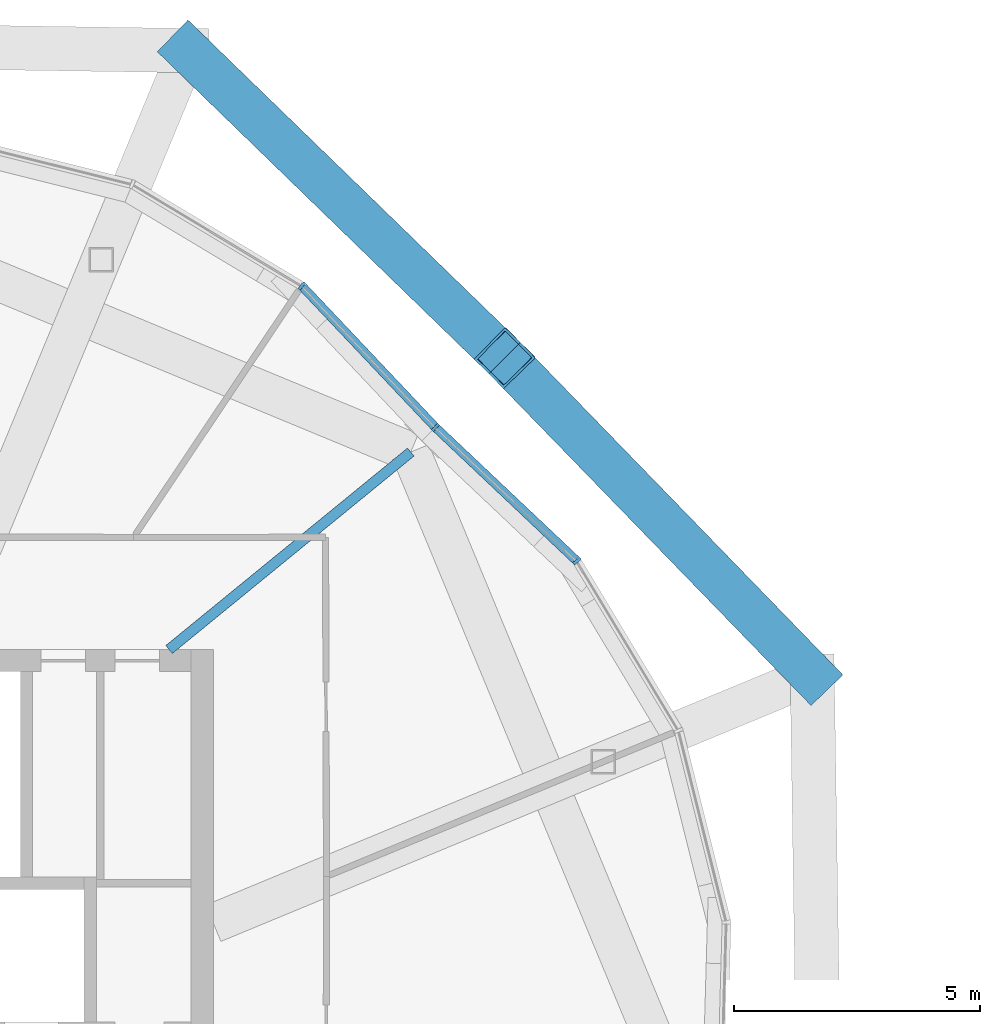
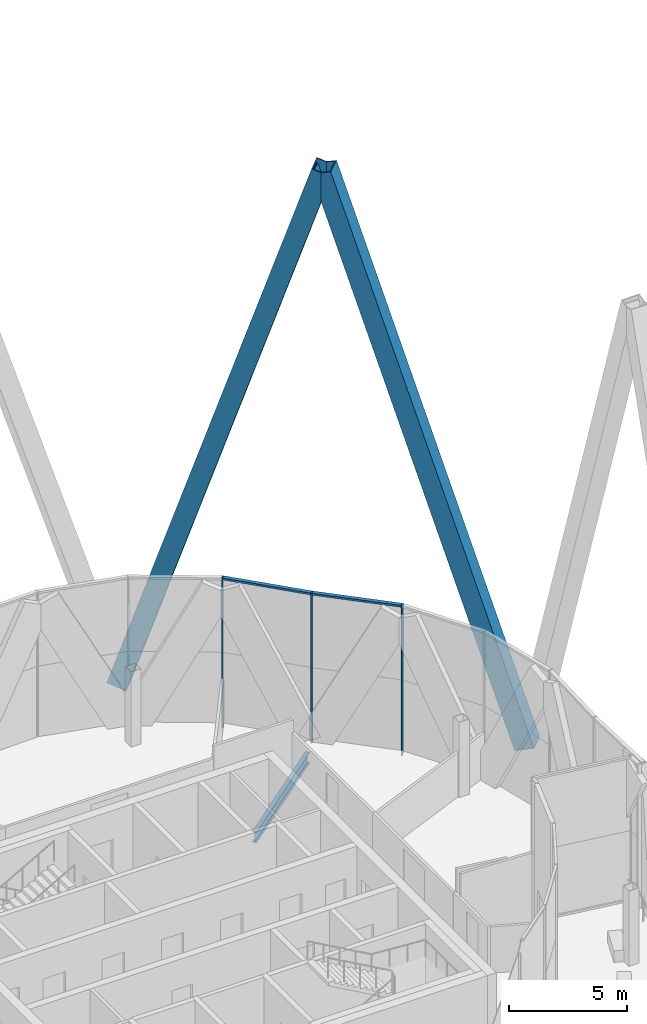
# One storey, part 21 of 53: 7 members, 1 beam, 2 elements without a shape of their own.
"""IFC4 building model written with IfcOpenShell, lengths in metres."""

from ifc_helpers import new_model, si_unit, direction, frame, origin, origin_2d, place, context, subcontext, project, spatial, rectangle, hollow_rectangle, i_section, extrude, material, material_profile, profile_set, type_object, element, aggregate, save


model = new_model("IFC4")

# Units and contexts
model_context = context("Model", 3, precision=1e-05, world=origin(), true_north=direction((0.0, 1.0)))
body_context = subcontext(model_context, "Body", "Model", "MODEL_VIEW")
ifc_project = project(units=[si_unit("LENGTHUNIT", "METRE"), si_unit("AREAUNIT", "SQUARE_METRE"), si_unit("VOLUMEUNIT", "CUBIC_METRE"), si_unit("PLANEANGLEUNIT", "RADIAN"), si_unit("MASSUNIT", "GRAM", prefix="KILO")], contexts=[model_context])

# Site, building, storey
site_placement = place(None, origin())
site = spatial("IfcSite", under=ifc_project, at=site_placement, CompositionType="ELEMENT")
building_placement = place(site_placement, origin())
building = spatial("IfcBuilding", under=site, at=building_placement, Name="Ogive Gate Towers", CompositionType="ELEMENT")
storey_placement = place(building_placement, frame((0.0, 0.0, 240.60009765625)))
storey = spatial("IfcBuildingStorey", under=building, at=storey_placement, Name="L57", CompositionType="ELEMENT", Elevation=240.60009765625)

# Members
ifc_material_1 = material(Name="Steel SM460", Category="steel")
ifc_material_profile_1 = material_profile(ifc_material_1, hollow_rectangle(XDim=0.89990234375, YDim=0.89990234375, WallThickness=0.050048828125, at=origin_2d()), Name="BX 900x900x50")
ifc_profile_set_1 = profile_set([ifc_material_profile_1], Name="Steel SM460")
member_type_1 = type_object("IfcMemberType", Name="Diagrid diagonal BX 900x900x50", PredefinedType="BRACE", material=ifc_profile_set_1)
for number, where, z_axis, x_axis, name in (
    (1, (-14.32568359375, 8.977783203125, 0.0), (-0.211259451685, 0.217751746913, 0.952866003586), (-0.717725362087, -0.696326291775, 0.0), "T1/L57/SDG002"),
    (2, (-27.022216796875, 21.67431640625, 0.0), (0.217751746913, -0.211259451685, 0.952866003586), (0.696326291775, 0.717725362087, 0.0), "T1/L57/SDG003"),
):
    element("IfcMember", number, at=place(storey_placement, frame(where, z_axis=z_axis, x_axis=x_axis)), inside=storey, type_object=member_type_1, Name=name, PredefinedType="BRACE", context=body_context, shape_type="SweptSolid", body=[
        extrude(hollow_rectangle(XDim=0.89990234375, YDim=0.89990234375, WallThickness=0.050048828125, at=origin_2d()), origin(), (0.0, 0.0, 1.0), 29.594970703125),
    ])

# Beam
ifc_material_2 = material(Name="Steel SM355", Category="steel")
ifc_material_profile_2 = material_profile(ifc_material_2, i_section(OverallWidth=0.2099609375, OverallDepth=0.550048828125, WebThickness=0.010986328125, FlangeThickness=0.01708984375, FilletRadius=0.02392578125, at=origin_2d()), Name="IPE 550")
ifc_profile_set_2 = profile_set([ifc_material_profile_2], Name="Steel SM355")
beam_type = type_object("IfcBeamType", Name="Radial floor beam IPE 550", PredefinedType="BEAM", material=ifc_profile_set_2)
beam_placement = place(storey_placement, frame((-27.39990234375, 9.5, -0.5751953125), z_axis=(0.774474926523, 0.632604606517, 0.0), x_axis=(-0.632604606517, 0.774474926523, 0.0)))
element("IfcBeam", 3, at=beam_placement, inside=storey, type_object=beam_type, Name="T1/L57/SBM009", PredefinedType="BEAM", context=body_context, shape_type="SweptSolid", body=[
    extrude(i_section(OverallWidth=0.2099609375, OverallDepth=0.550048828125, WebThickness=0.010986328125, FlangeThickness=0.01708984375, FilletRadius=0.02392578125, at=origin_2d()), origin(), (0.0, 0.0, 1.0), 6.343017578125),
])

# Curtain wall, members
ifc_material_3 = material(Name="Pale metal aluminium", Category="aluminium")
curtain_wall_type = type_object("IfcCurtainWallType", Name="Tower unitised wall, high zone", PredefinedType="NOTDEFINED", material=ifc_material_3)
curtain_wall_1_placement = place(storey_placement, origin())
curtain_wall_1 = element("IfcCurtainWall", 4, at=curtain_wall_1_placement, inside=storey, type_object=curtain_wall_type, Name="CW2 T1 ECW03", PredefinedType="NOTDEFINED")
ifc_material_profile_3 = material_profile(ifc_material_3, rectangle(XDim=0.179931640625, YDim=0.06005859375, at=origin_2d()), Name="60 x 180 aluminium box")
ifc_profile_set_3 = profile_set([ifc_material_profile_3], Name="Pale metal aluminium")
member_type_2 = type_object("IfcMemberType", Name="Tower unitised wall, high zone mullion 60 x 180", PredefinedType="MULLION", material=ifc_profile_set_3)
member_1_placement = place(storey_placement, frame((-21.9853515625, 14.01513671875, -0.300048828125), z_axis=(0.0, 0.0, 1.0), x_axis=(-0.686795789687, -0.726850427027, 0.0)))
member_1 = element("IfcMember", 5, at=member_1_placement, type_object=member_type_2, Name="CW2 mullion", PredefinedType="MULLION", context=body_context, shape_type="SweptSolid", body=[
    extrude(rectangle(XDim=0.179931640625, YDim=0.06005859375, at=origin_2d()), origin(), (0.0, 0.0, 1.0), 7.800048828125),
])
member_2_placement = place(storey_placement, frame((-19.109619140625, 11.297607421875, -0.300048828125), z_axis=(0.0, 0.0, 1.0), x_axis=(-0.779283280466, -0.626671819046, 0.0)))
member_2 = element("IfcMember", 6, at=member_2_placement, type_object=member_type_2, Name="CW2 mullion", PredefinedType="MULLION", context=body_context, shape_type="SweptSolid", body=[
    extrude(rectangle(XDim=0.179931640625, YDim=0.06005859375, at=origin_2d()), origin(), (0.0, 0.0, 1.0), 7.800048828125),
])

# Curtain wall, member
curtain_wall_2_placement = place(storey_placement, origin())
curtain_wall_2 = element("IfcCurtainWall", 7, at=curtain_wall_2_placement, inside=storey, type_object=curtain_wall_type, Name="CW2 T1 ECW04", PredefinedType="NOTDEFINED")
member_3_placement = place(storey_placement, frame((-24.702392578125, 16.890380859375, -0.300048828125), z_axis=(0.0, 0.0, 1.0), x_axis=(-0.626671819046, -0.779283280466, 0.0)))
member_3 = element("IfcMember", 8, at=member_3_placement, type_object=member_type_2, Name="CW2 mullion", PredefinedType="MULLION", context=body_context, shape_type="SweptSolid", body=[
    extrude(rectangle(XDim=0.179931640625, YDim=0.06005859375, at=origin_2d()), origin(), (0.0, 0.0, 1.0), 7.800048828125),
])

# Member
ifc_material_profile_4 = material_profile(ifc_material_3, rectangle(XDim=0.179931640625, YDim=0.10009765625, at=origin_2d()), Name="100 x 180 aluminium box")
ifc_profile_set_4 = profile_set([ifc_material_profile_4], Name="Pale metal aluminium")
member_type_3 = type_object("IfcMemberType", Name="Tower unitised wall, high zone transom 100 x 180", PredefinedType="USERDEFINED", material=ifc_profile_set_4)
member_4_placement = place(storey_placement, frame((-21.96337890625, 13.994384765625, 7.449951171875), z_axis=(0.726848007603, -0.686798350204, 0.0), x_axis=(0.686798350204, 0.726848007603, 0.0)))
member_4 = element("IfcMember", 9, at=member_4_placement, type_object=member_type_3, Name="CW2 transom", ObjectType="TRANSOM", PredefinedType="USERDEFINED", context=body_context, shape_type="SweptSolid", body=[
    extrude(rectangle(XDim=0.179931640625, YDim=0.10009765625, at=origin_2d()), origin(), (0.0, 0.0, 1.0), 3.895263671875),
])

aggregate(curtain_wall_1, [member_1, member_2, member_4])

member_5_placement = place(storey_placement, frame((-24.680908203125, 16.867919921875, 7.449951171875), z_axis=(0.686798350204, -0.726848007603, 0.0), x_axis=(0.726848007603, 0.686798350204, 0.0)))
member_5 = element("IfcMember", 10, at=member_5_placement, type_object=member_type_3, Name="CW2 transom", ObjectType="TRANSOM", PredefinedType="USERDEFINED", context=body_context, shape_type="SweptSolid", body=[
    extrude(rectangle(XDim=0.179931640625, YDim=0.10009765625, at=origin_2d()), origin(), (0.0, 0.0, 1.0), 3.895263671875),
])

aggregate(curtain_wall_2, [member_3, member_5])

save(model, "model.ifc")
